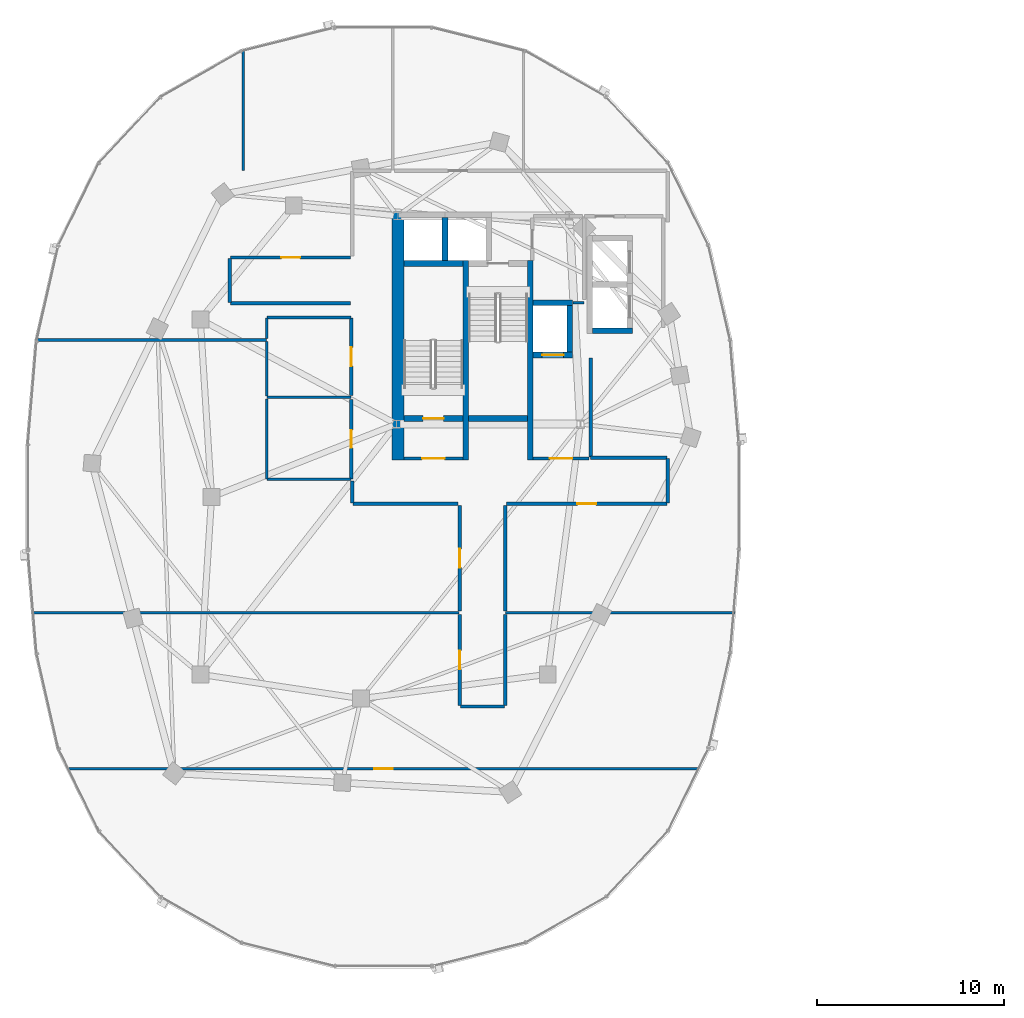
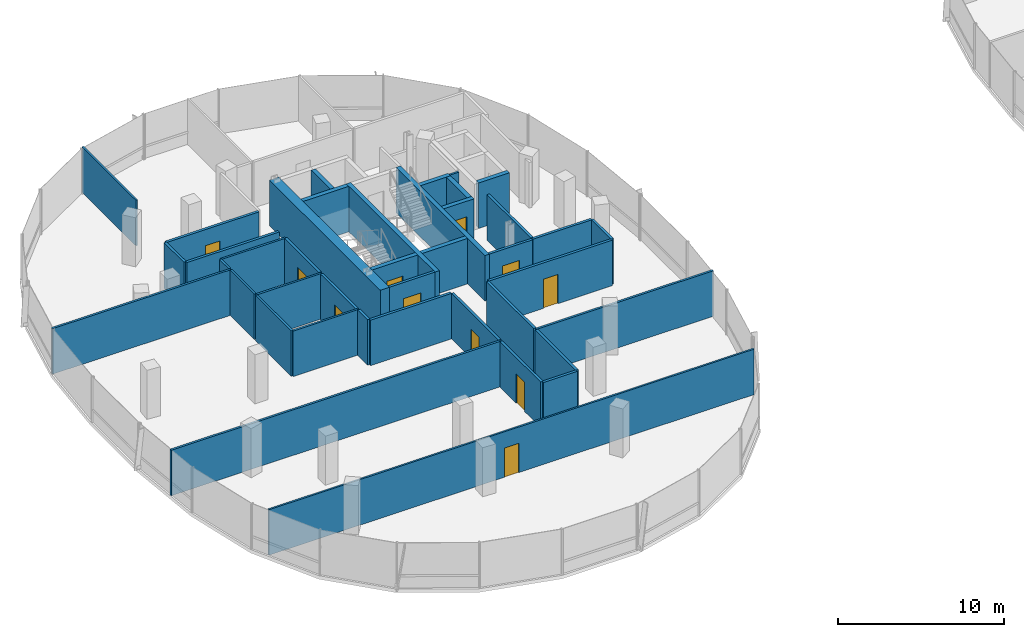
# One storey, part 15 of 25: 41 walls, 11 doors, 11 openings.
"""IFC4 building model written with IfcOpenShell, lengths in metres."""

from ifc_helpers import new_model, si_unit, direction, frame, frame_2d, origin, place, context, subcontext, project, spatial, rectangle, extrude, material, layer, layer_set, type_object, element, fill, save


model = new_model("IFC4")

# Units and contexts
model_context = context("Model", 3, precision=1e-05, world=origin(), true_north=direction((0.0, 1.0)))
body_context = subcontext(model_context, "Body", "Model", "MODEL_VIEW")
ifc_project = project(units=[si_unit("LENGTHUNIT", "METRE"), si_unit("AREAUNIT", "SQUARE_METRE"), si_unit("VOLUMEUNIT", "CUBIC_METRE"), si_unit("PLANEANGLEUNIT", "RADIAN"), si_unit("MASSUNIT", "GRAM", prefix="KILO"), si_unit("THERMODYNAMICTEMPERATUREUNIT", "KELVIN"), si_unit("POWERUNIT", "WATT")], contexts=[model_context])

# Site, building, storey
site_placement = place(None, origin())
site = spatial("IfcSite", under=ifc_project, at=site_placement, CompositionType="ELEMENT")
building_placement = place(site_placement, origin())
building = spatial("IfcBuilding", under=site, at=building_placement, Name="Cundina Bronze Exchange", CompositionType="ELEMENT")
storey_placement = place(building_placement, frame((0.0, 0.0, 224.199951171875)))
storey = spatial("IfcBuildingStorey", under=building, at=storey_placement, Name="L59", CompositionType="ELEMENT", Elevation=224.199951171875)

# Wall
ifc_material_1 = material(Name="Gypsum Fireboard Partition EI120")
ifc_layer_1 = layer(ifc_material_1, 0.179931640625, Name="Gypsum Fireboard Partition EI120")
ifc_layer_set_1 = layer_set([ifc_layer_1], Name="Gypsum Fireboard Partition EI120")
wall_type_1 = type_object("IfcWallType", Name="WL-COR-180", PredefinedType="PARTITIONING", material=ifc_layer_set_1)
wall_1_placement = place(storey_placement, frame((-20.889892578125, 2.14990234375, 0.0), z_axis=(0.0, 0.0, 1.0), x_axis=(0.0, 1.0, 0.0)))
element("IfcWall", 1, at=wall_1_placement, inside=storey, type_object=wall_type_1, Name="L59 W Firefighting Lobby Side Wall", PredefinedType="PARTITIONING", context=body_context, shape_type="SweptSolid", body=[
    extrude(rectangle(XDim=5.300048828125, YDim=0.179931640625, at=frame_2d((2.64990234375, 0.0))), origin(), (0.0, 0.0, 1.0), 3.340087890625),
])

# Wall, opening, door
wall_2_placement = place(storey_placement, frame((-23.97998046875, 2.06005859375, 0.0), z_axis=(0.0, 0.0, 1.0), x_axis=(1.0, 0.0, 0.0)))
wall_2 = element("IfcWall", 2, at=wall_2_placement, inside=storey, type_object=wall_type_1, Name="L59 W Firefighting Lobby Exit Wall", PredefinedType="PARTITIONING", context=body_context, shape_type="SweptSolid", body=[
    extrude(rectangle(XDim=3.0, YDim=0.179931640625, at=frame_2d((1.5, 0.0))), origin(), (0.0, 0.0, 1.0), 3.340087890625),
])
opening_1_placement = place(wall_2_placement, frame((0.89990234375, 0.0, 0.0)))
opening_1 = element("IfcOpeningElement", 3, at=opening_1_placement, cuts=wall_2, Name="Opening DF-01", PredefinedType="OPENING", context=body_context, shape_type="SweptSolid", body=[
    extrude(rectangle(XDim=1.199951171875, YDim=2.14990234375, at=frame_2d((0.60009765625, 1.074951171875))), frame((0.0, 0.099853515625, 0.0), z_axis=(0.0, -1.0, 0.0), x_axis=(1.0, 0.0, 0.0)), (0.0, 0.0, 1.0), 0.199951171875),
])
ifc_material_2 = material(Name="Steel ASTM A36 Painted", Category="steel")
door_type_1 = type_object("IfcDoorType", Name="DR-FFL-1200", OperationType="NOTDEFINED", PredefinedType="DOOR", material=ifc_material_2)
door_1_placement = place(opening_1_placement, origin())
door_1 = element("IfcDoor", 4, at=door_1_placement, inside=storey, type_object=door_type_1, Name="L59 W Firefighting Lobby Door", OperationType="SINGLE_SWING_RIGHT", OverallHeight=2.14990234375, OverallWidth=1.199951171875, PredefinedType="DOOR", context=body_context, shape_type="SweptSolid", body=[
    extrude(rectangle(XDim=1.199951171875, YDim=2.14990234375, at=frame_2d((0.60009765625, 1.074951171875))), frame((0.0, 0.02490234375, 0.0), z_axis=(0.0, -1.0, 0.0), x_axis=(1.0, 0.0, 0.0)), (0.0, 0.0, 1.0), 0.050048828125),
])
fill(opening_1, door_1)

wall_3_placement = place(storey_placement, frame((-30.89990234375, 2.06005859375, 0.0), z_axis=(0.0, 0.0, 1.0), x_axis=(1.0, 0.0, 0.0)))
wall_3 = element("IfcWall", 5, at=wall_3_placement, inside=storey, type_object=wall_type_1, Name="L59 W Stair Vestibule Exit Wall", PredefinedType="PARTITIONING", context=body_context, shape_type="SweptSolid", body=[
    extrude(rectangle(XDim=3.159912109375, YDim=0.179931640625, at=frame_2d((1.580078125, 0.0))), origin(), (0.0, 0.0, 1.0), 3.340087890625),
])
opening_2_placement = place(wall_3_placement, frame((0.97998046875, 0.0, 0.0)))
opening_2 = element("IfcOpeningElement", 6, at=opening_2_placement, cuts=wall_3, Name="Opening DF-01", PredefinedType="OPENING", context=body_context, shape_type="SweptSolid", body=[
    extrude(rectangle(XDim=1.199951171875, YDim=2.14990234375, at=frame_2d((0.60009765625, 1.074951171875))), frame((0.0, 0.099853515625, 0.0), z_axis=(0.0, -1.0, 0.0), x_axis=(1.0, 0.0, 0.0)), (0.0, 0.0, 1.0), 0.199951171875),
])
door_2_placement = place(opening_2_placement, origin())
door_2 = element("IfcDoor", 7, at=door_2_placement, inside=storey, type_object=door_type_1, Name="L59 W Stair Vestibule Door", OperationType="SINGLE_SWING_LEFT", OverallHeight=2.14990234375, OverallWidth=1.199951171875, PredefinedType="DOOR", context=body_context, shape_type="SweptSolid", body=[
    extrude(rectangle(XDim=1.199951171875, YDim=2.14990234375, at=frame_2d((0.60009765625, 1.074951171875))), frame((0.0, 0.02490234375, 0.0), z_axis=(0.0, -1.0, 0.0), x_axis=(1.0, 0.0, 0.0)), (0.0, 0.0, 1.0), 0.050048828125),
])
fill(opening_2, door_2)

wall_4_placement = place(storey_placement, frame((-33.719970703125, 0.969970703125, 0.0), z_axis=(0.0, 0.0, 1.0), x_axis=(0.0, 1.0, 0.0)))
wall_4 = element("IfcWall", 8, at=wall_4_placement, inside=storey, type_object=wall_type_1, Name="L59 Interior Partition 014", PredefinedType="PARTITIONING", context=body_context, shape_type="SweptSolid", body=[
    extrude(rectangle(XDim=4.260009765625, YDim=0.179931640625, at=frame_2d((2.1298828125, 0.0))), origin(), (0.0, 0.0, 1.0), 3.340087890625),
])
opening_3_placement = place(wall_4_placement, frame((1.655029296875, 0.0, 0.0)))
opening_3 = element("IfcOpeningElement", 9, at=opening_3_placement, cuts=wall_4, Name="Opening DW-01", PredefinedType="OPENING", context=body_context, shape_type="SweptSolid", body=[
    extrude(rectangle(XDim=0.949951171875, YDim=2.10009765625, at=frame_2d((0.47509765625, 1.050048828125))), frame((0.0, 0.099853515625, 0.0), z_axis=(0.0, -1.0, 0.0), x_axis=(1.0, 0.0, 0.0)), (0.0, 0.0, 1.0), 0.199951171875),
])
ifc_material_3 = material(Name="Solid Andean Oak Timber Grade A", Category="wood")
door_type_2 = type_object("IfcDoorType", Name="DR-WC-950", OperationType="NOTDEFINED", PredefinedType="DOOR", material=ifc_material_3)
door_3_placement = place(opening_3_placement, origin())
door_3 = element("IfcDoor", 10, at=door_3_placement, inside=storey, type_object=door_type_2, Name="L59 Interior Door 014", OperationType="SINGLE_SWING_LEFT", OverallHeight=2.10009765625, OverallWidth=0.949951171875, PredefinedType="DOOR", context=body_context, shape_type="SweptSolid", body=[
    extrude(rectangle(XDim=0.949951171875, YDim=2.10009765625, at=frame_2d((0.47509765625, 1.050048828125))), frame((0.0, 0.02490234375, 0.0), z_axis=(0.0, -1.0, 0.0), x_axis=(1.0, 0.0, 0.0)), (0.0, 0.0, 1.0), 0.050048828125),
])
fill(opening_3, door_3)

wall_5_placement = place(storey_placement, frame((-33.719970703125, 5.429931640625, 0.0), z_axis=(0.0, 0.0, 1.0), x_axis=(0.0, 1.0, 0.0)))
wall_5 = element("IfcWall", 11, at=wall_5_placement, inside=storey, type_object=wall_type_1, Name="L59 Interior Partition 015", PredefinedType="PARTITIONING", context=body_context, shape_type="SweptSolid", body=[
    extrude(rectangle(XDim=4.16015625, YDim=0.179931640625, at=frame_2d((2.080078125, 0.0))), origin(), (0.0, 0.0, 1.0), 3.340087890625),
])
opening_4_placement = place(wall_5_placement, frame((1.580078125, 0.0, 0.0)))
opening_4 = element("IfcOpeningElement", 12, at=opening_4_placement, cuts=wall_5, Name="Opening DO-01", PredefinedType="OPENING", context=body_context, shape_type="SweptSolid", body=[
    extrude(rectangle(XDim=1.0, YDim=2.14990234375, at=frame_2d((0.5, 1.074951171875))), frame((0.0, 0.099853515625, 0.0), z_axis=(0.0, -1.0, 0.0), x_axis=(1.0, 0.0, 0.0)), (0.0, 0.0, 1.0), 0.199951171875),
])
door_type_3 = type_object("IfcDoorType", Name="DR-OFF-1000", OperationType="NOTDEFINED", PredefinedType="DOOR", material=ifc_material_3)
door_4_placement = place(opening_4_placement, origin())
door_4 = element("IfcDoor", 13, at=door_4_placement, inside=storey, type_object=door_type_3, Name="L59 Interior Door 015", OperationType="SINGLE_SWING_LEFT", OverallHeight=2.14990234375, OverallWidth=1.0, PredefinedType="DOOR", context=body_context, shape_type="SweptSolid", body=[
    extrude(rectangle(XDim=1.0, YDim=2.14990234375, at=frame_2d((0.5, 1.074951171875))), frame((0.0, 0.02490234375, 0.0), z_axis=(0.0, -1.0, 0.0), x_axis=(1.0, 0.0, 0.0)), (0.0, 0.0, 1.0), 0.050048828125),
])
fill(opening_4, door_4)

wall_6_placement = place(storey_placement, frame((-27.919921875, -6.2900390625, 0.0), z_axis=(0.0, 0.0, 1.0), x_axis=(0.0, -1.0, 0.0)))
wall_6 = element("IfcWall", 14, at=wall_6_placement, inside=storey, type_object=wall_type_1, Name="L59 Interior Partition 022", PredefinedType="PARTITIONING", context=body_context, shape_type="SweptSolid", body=[
    extrude(rectangle(XDim=4.888427734375, YDim=0.179931640625, at=frame_2d((2.4443359375, 0.0))), origin(), (0.0, 0.0, 1.0), 3.340087890625),
])
opening_5_placement = place(wall_6_placement, frame((1.944091796875, 0.0, 0.0)))
opening_5 = element("IfcOpeningElement", 15, at=opening_5_placement, cuts=wall_6, Name="Opening DO-01", PredefinedType="OPENING", context=body_context, shape_type="SweptSolid", body=[
    extrude(rectangle(XDim=1.0, YDim=2.14990234375, at=frame_2d((0.5, 1.074951171875))), frame((0.0, 0.099853515625, 0.0), z_axis=(0.0, -1.0, 0.0), x_axis=(1.0, 0.0, 0.0)), (0.0, 0.0, 1.0), 0.199951171875),
])
door_5_placement = place(opening_5_placement, origin())
door_5 = element("IfcDoor", 16, at=door_5_placement, inside=storey, type_object=door_type_3, Name="L59 Interior Door 022", OperationType="SINGLE_SWING_LEFT", OverallHeight=2.14990234375, OverallWidth=1.0, PredefinedType="DOOR", context=body_context, shape_type="SweptSolid", body=[
    extrude(rectangle(XDim=1.0, YDim=2.14990234375, at=frame_2d((0.5, 1.074951171875))), frame((0.0, 0.02490234375, 0.0), z_axis=(0.0, -1.0, 0.0), x_axis=(1.0, 0.0, 0.0)), (0.0, 0.0, 1.0), 0.050048828125),
])
fill(opening_5, door_5)

# Walls
wall_7_placement = place(storey_placement, frame((-25.47998046875, -11.178466796875, 0.0), z_axis=(0.0, 0.0, 1.0), x_axis=(0.0, 1.0, 0.0)))
element("IfcWall", 17, at=wall_7_placement, inside=storey, type_object=wall_type_1, Name="L59 Interior Partition 023", PredefinedType="PARTITIONING", context=body_context, shape_type="SweptSolid", body=[
    extrude(rectangle(XDim=4.888427734375, YDim=0.179931640625, at=frame_2d((2.4443359375, 0.0))), origin(), (0.0, 0.0, 1.0), 3.340087890625),
])
wall_8_placement = place(storey_placement, frame((-27.87841796875, -11.219970703125, 0.0), z_axis=(0.0, 0.0, 1.0), x_axis=(1.0, 0.0, 0.0)))
element("IfcWall", 18, at=wall_8_placement, inside=storey, type_object=wall_type_1, Name="L59 Interior Partition 024", PredefinedType="PARTITIONING", context=body_context, shape_type="SweptSolid", body=[
    extrude(rectangle(XDim=2.35693359375, YDim=0.179931640625, at=frame_2d((1.178466796875, 0.0))), origin(), (0.0, 0.0, 1.0), 3.340087890625),
])

# Wall, opening, door
wall_9_placement = place(storey_placement, frame((-27.919921875, -0.449951171875, 0.0), z_axis=(0.0, 0.0, 1.0), x_axis=(0.0, -1.0, 0.0)))
wall_9 = element("IfcWall", 19, at=wall_9_placement, inside=storey, type_object=wall_type_1, Name="L59 Interior Partition 025", PredefinedType="PARTITIONING", context=body_context, shape_type="SweptSolid", body=[
    extrude(rectangle(XDim=5.66015625, YDim=0.179931640625, at=frame_2d((2.830078125, 0.0))), origin(), (0.0, 0.0, 1.0), 3.340087890625),
])
opening_6_placement = place(wall_9_placement, frame((2.330078125, 0.0, 0.0)))
opening_6 = element("IfcOpeningElement", 20, at=opening_6_placement, cuts=wall_9, Name="Opening DO-01", PredefinedType="OPENING", context=body_context, shape_type="SweptSolid", body=[
    extrude(rectangle(XDim=1.0, YDim=2.14990234375, at=frame_2d((0.5, 1.074951171875))), frame((0.0, 0.099853515625, 0.0), z_axis=(0.0, -1.0, 0.0), x_axis=(1.0, 0.0, 0.0)), (0.0, 0.0, 1.0), 0.199951171875),
])
door_6_placement = place(opening_6_placement, origin())
door_6 = element("IfcDoor", 21, at=door_6_placement, inside=storey, type_object=door_type_3, Name="L59 Interior Door 025", OperationType="SINGLE_SWING_LEFT", OverallHeight=2.14990234375, OverallWidth=1.0, PredefinedType="DOOR", context=body_context, shape_type="SweptSolid", body=[
    extrude(rectangle(XDim=1.0, YDim=2.14990234375, at=frame_2d((0.5, 1.074951171875))), frame((0.0, 0.02490234375, 0.0), z_axis=(0.0, -1.0, 0.0), x_axis=(1.0, 0.0, 0.0)), (0.0, 0.0, 1.0), 0.050048828125),
])
fill(opening_6, door_6)

# Walls
wall_10_placement = place(storey_placement, frame((-33.62841796875, -0.3701171875, 0.0), z_axis=(0.0, 0.0, 1.0), x_axis=(1.0, 0.0, 0.0)))
element("IfcWall", 22, at=wall_10_placement, inside=storey, type_object=wall_type_1, Name="L59 Interior Partition 026", PredefinedType="PARTITIONING", context=body_context, shape_type="SweptSolid", body=[
    extrude(rectangle(XDim=5.62841796875, YDim=0.179931640625, at=frame_2d((2.814208984375, 0.0))), origin(), (0.0, 0.0, 1.0), 3.340087890625),
])
wall_11_placement = place(storey_placement, frame((-33.669921875, 0.858642578125, 0.0), z_axis=(0.0, 0.0, 1.0), x_axis=(0.0, -1.0, 0.0)))
element("IfcWall", 23, at=wall_11_placement, inside=storey, type_object=wall_type_1, Name="L59 Interior Partition 027", PredefinedType="PARTITIONING", context=body_context, shape_type="SweptSolid", body=[
    extrude(rectangle(XDim=1.187255859375, YDim=0.179931640625, at=frame_2d((0.59375, 0.0))), origin(), (0.0, 0.0, 1.0), 3.340087890625),
])

# Wall, opening, door
wall_12_placement = place(storey_placement, frame((-25.39990234375, -0.3701171875, 0.0), z_axis=(0.0, 0.0, 1.0), x_axis=(1.0, 0.0, 0.0)))
wall_12 = element("IfcWall", 24, at=wall_12_placement, inside=storey, type_object=wall_type_1, Name="L59 Interior Partition 028", PredefinedType="PARTITIONING", context=body_context, shape_type="SweptSolid", body=[
    extrude(rectangle(XDim=8.578369140625, YDim=0.179931640625, at=frame_2d((4.2890625, 0.0))), origin(), (0.0, 0.0, 1.0), 3.340087890625),
])
opening_7_placement = place(wall_12_placement, frame((3.789306640625, 0.0, 0.0)))
opening_7 = element("IfcOpeningElement", 25, at=opening_7_placement, cuts=wall_12, Name="Opening DO-01", PredefinedType="OPENING", context=body_context, shape_type="SweptSolid", body=[
    extrude(rectangle(XDim=1.0, YDim=2.14990234375, at=frame_2d((0.5, 1.074951171875))), frame((0.0, 0.099853515625, 0.0), z_axis=(0.0, -1.0, 0.0), x_axis=(1.0, 0.0, 0.0)), (0.0, 0.0, 1.0), 0.199951171875),
])
door_7_placement = place(opening_7_placement, origin())
door_7 = element("IfcDoor", 26, at=door_7_placement, inside=storey, type_object=door_type_3, Name="L59 Interior Door 028", OperationType="SINGLE_SWING_LEFT", OverallHeight=2.14990234375, OverallWidth=1.0, PredefinedType="DOOR", context=body_context, shape_type="SweptSolid", body=[
    extrude(rectangle(XDim=1.0, YDim=2.14990234375, at=frame_2d((0.5, 1.074951171875))), frame((0.0, 0.02490234375, 0.0), z_axis=(0.0, -1.0, 0.0), x_axis=(1.0, 0.0, 0.0)), (0.0, 0.0, 1.0), 0.050048828125),
])
fill(opening_7, door_7)

# Walls
wall_13_placement = place(storey_placement, frame((-25.47998046875, -6.110107421875, 0.0), z_axis=(0.0, 0.0, 1.0), x_axis=(0.0, 1.0, 0.0)))
element("IfcWall", 27, at=wall_13_placement, inside=storey, type_object=wall_type_1, Name="L59 Interior Partition 030", PredefinedType="PARTITIONING", context=body_context, shape_type="SweptSolid", body=[
    extrude(rectangle(XDim=5.66015625, YDim=0.179931640625, at=frame_2d((2.830078125, 0.0))), origin(), (0.0, 0.0, 1.0), 3.340087890625),
])
wall_14_placement = place(storey_placement, frame((-16.821533203125, 2.10009765625, 0.0), z_axis=(0.0, 0.0, 1.0), x_axis=(-1.0, 0.0, 0.0)))
element("IfcWall", 28, at=wall_14_placement, inside=storey, type_object=wall_type_1, Name="L59 Interior Partition 031", PredefinedType="PARTITIONING", context=body_context, shape_type="SweptSolid", body=[
    extrude(rectangle(XDim=4.098388671875, YDim=0.179931640625, at=frame_2d((2.04931640625, 0.0))), origin(), (0.0, 0.0, 1.0), 3.340087890625),
])
wall_15_placement = place(storey_placement, frame((-16.780029296875, -0.32861328125, 0.0), z_axis=(0.0, 0.0, 1.0), x_axis=(0.0, 1.0, 0.0)))
element("IfcWall", 29, at=wall_15_placement, inside=storey, type_object=wall_type_1, Name="L59 Interior Partition 033", PredefinedType="PARTITIONING", context=body_context, shape_type="SweptSolid", body=[
    extrude(rectangle(XDim=2.38720703125, YDim=0.179931640625, at=frame_2d((1.193603515625, 0.0))), origin(), (0.0, 0.0, 1.0), 3.340087890625),
])

# Wall, opening, door
wall_16_placement = place(storey_placement, frame((-33.75, 12.820068359375, 0.0), z_axis=(0.0, 0.0, 1.0), x_axis=(-1.0, 0.0, 0.0)))
wall_16 = element("IfcWall", 30, at=wall_16_placement, inside=storey, type_object=wall_type_1, Name="L59 Interior Partition 034", PredefinedType="PARTITIONING", context=body_context, shape_type="SweptSolid", body=[
    extrude(rectangle(XDim=6.428466796875, YDim=0.179931640625, at=frame_2d((3.21435546875, 0.0))), origin(), (0.0, 0.0, 1.0), 3.340087890625),
])
opening_8_placement = place(wall_16_placement, frame((2.714111328125, 0.0, 0.0)))
opening_8 = element("IfcOpeningElement", 31, at=opening_8_placement, cuts=wall_16, Name="Opening DO-01", PredefinedType="OPENING", context=body_context, shape_type="SweptSolid", body=[
    extrude(rectangle(XDim=1.0, YDim=2.14990234375, at=frame_2d((0.5, 1.074951171875))), frame((0.0, 0.099853515625, 0.0), z_axis=(0.0, -1.0, 0.0), x_axis=(1.0, 0.0, 0.0)), (0.0, 0.0, 1.0), 0.199951171875),
])
door_8_placement = place(opening_8_placement, origin())
door_8 = element("IfcDoor", 32, at=door_8_placement, inside=storey, type_object=door_type_3, Name="L59 Interior Door 034", OperationType="SINGLE_SWING_LEFT", OverallHeight=2.14990234375, OverallWidth=1.0, PredefinedType="DOOR", context=body_context, shape_type="SweptSolid", body=[
    extrude(rectangle(XDim=1.0, YDim=2.14990234375, at=frame_2d((0.5, 1.074951171875))), frame((0.0, 0.02490234375, 0.0), z_axis=(0.0, -1.0, 0.0), x_axis=(1.0, 0.0, 0.0)), (0.0, 0.0, 1.0), 0.050048828125),
])
fill(opening_8, door_8)

# Walls
wall_17_placement = place(storey_placement, frame((-40.178466796875, 10.3798828125, 0.0), z_axis=(0.0, 0.0, 1.0), x_axis=(1.0, 0.0, 0.0)))
element("IfcWall", 33, at=wall_17_placement, inside=storey, type_object=wall_type_1, Name="L59 Interior Partition 035", PredefinedType="PARTITIONING", context=body_context, shape_type="SweptSolid", body=[
    extrude(rectangle(XDim=6.428466796875, YDim=0.179931640625, at=frame_2d((3.21435546875, 0.0))), origin(), (0.0, 0.0, 1.0), 3.340087890625),
])
wall_18_placement = place(storey_placement, frame((-40.219970703125, 12.778564453125, 0.0), z_axis=(0.0, 0.0, 1.0), x_axis=(0.0, -1.0, 0.0)))
element("IfcWall", 34, at=wall_18_placement, inside=storey, type_object=wall_type_1, Name="L59 Interior Partition 037", PredefinedType="PARTITIONING", context=body_context, shape_type="SweptSolid", body=[
    extrude(rectangle(XDim=2.357177734375, YDim=0.179931640625, at=frame_2d((1.1787109375, 0.0))), origin(), (0.0, 0.0, 1.0), 3.340087890625),
])
ifc_material_4 = material(Name="Concrete C50/60", Category="concrete")
ifc_layer_2 = layer(ifc_material_4, 0.64990234375, Name="Concrete C50/60", Category="concrete")
ifc_layer_set_2 = layer_set([ifc_layer_2], Name="Concrete C50/60")
wall_type_2 = type_object("IfcWallType", Name="WL-CORE-650", PredefinedType="SHEAR", material=ifc_layer_set_2)
wall_19_placement = place(storey_placement, frame((-31.22509765625, 1.969970703125, 0.0), z_axis=(0.0, 0.0, 1.0), x_axis=(0.0, 1.0, 0.0)))
element("IfcWall", 35, at=wall_19_placement, inside=storey, type_object=wall_type_2, Name="L59 W Primary Core Shear Spine Wall", PredefinedType="SHEAR", context=body_context, shape_type="SweptSolid", body=[
    extrude(rectangle(XDim=13.330078125, YDim=0.64990234375, at=frame_2d((6.6650390625, 0.0))), origin(), (0.0, 0.0, 1.0), 3.340087890625),
])
ifc_material_5 = material(Name="Gypsum Acoustic Partition EI60")
ifc_layer_3 = layer(ifc_material_5, 0.125, Name="Gypsum Acoustic Partition EI60")
ifc_layer_set_3 = layer_set([ifc_layer_3], Name="Gypsum Acoustic Partition EI60")
wall_type_3 = type_object("IfcWallType", Name="WL-OFF-125", PredefinedType="PARTITIONING", material=ifc_layer_set_3)
wall_20_placement = place(storey_placement, frame((-39.5, 17.469970703125, 0.0), z_axis=(0.0, 0.0, 1.0), x_axis=(0.0, 1.0, 0.0)))
element("IfcWall", 36, at=wall_20_placement, inside=storey, type_object=wall_type_3, Name="L59 Interior Partition 019", PredefinedType="PARTITIONING", context=body_context, shape_type="SweptSolid", body=[
    extrude(rectangle(XDim=6.49267578125, YDim=0.125, at=frame_2d((3.246337890625, 0.0))), origin(), (0.0, 0.0, 1.0), 3.340087890625),
])

# Wall, opening, door
wall_21_placement = place(storey_placement, frame((-48.832763671875, -14.550048828125, 0.0), z_axis=(0.0, 0.0, 1.0), x_axis=(1.0, 0.0, 0.0)))
wall_21 = element("IfcWall", 37, at=wall_21_placement, inside=storey, type_object=wall_type_3, Name="L59 Interior Partition 040", PredefinedType="PARTITIONING", context=body_context, shape_type="SweptSolid", body=[
    extrude(rectangle(XDim=33.66552734375, YDim=0.125, at=frame_2d((16.832763671875, 0.0))), origin(), (0.0, 0.0, 1.0), 3.340087890625),
])
opening_9_placement = place(wall_21_placement, frame((16.332763671875, 0.0, 0.0)))
opening_9 = element("IfcOpeningElement", 38, at=opening_9_placement, cuts=wall_21, Name="Opening DO-01", PredefinedType="OPENING", context=body_context, shape_type="SweptSolid", body=[
    extrude(rectangle(XDim=1.0, YDim=2.14990234375, at=frame_2d((0.5, 1.074951171875))), frame((0.0, 0.072509765625, 0.0), z_axis=(0.0, -1.0, 0.0), x_axis=(1.0, 0.0, 0.0)), (0.0, 0.0, 1.0), 0.14501953125),
])
door_9_placement = place(opening_9_placement, origin())
door_9 = element("IfcDoor", 39, at=door_9_placement, inside=storey, type_object=door_type_3, Name="L59 Interior Door 040", OperationType="SINGLE_SWING_LEFT", OverallHeight=2.14990234375, OverallWidth=1.0, PredefinedType="DOOR", context=body_context, shape_type="SweptSolid", body=[
    extrude(rectangle(XDim=1.0, YDim=2.14990234375, at=frame_2d((0.5, 1.074951171875))), frame((0.0, 0.02490234375, 0.0), z_axis=(0.0, -1.0, 0.0), x_axis=(1.0, 0.0, 0.0)), (0.0, 0.0, 1.0), 0.050048828125),
])
fill(opening_9, door_9)

# Walls
ifc_layer_4 = layer(ifc_material_4, 0.300048828125, Name="Concrete C50/60", Category="concrete")
ifc_layer_set_4 = layer_set([ifc_layer_4], Name="Concrete C50/60")
wall_type_4 = type_object("IfcWallType", Name="WL-SHFT-300", PredefinedType="SHEAR", material=ifc_layer_set_4)
for number, where, z_axis, x_axis, name in (
    (40, (-27.590087890625, 1.969970703125, 0.0), (0.0, 0.0, 1.0), (0.0, 1.0, 0.0), "L59 W Stair Shaft Dividing Shear Wall"),
    (41, (-24.1298828125, 1.969970703125, 0.0), (0.0, 0.0, 1.0), (0.0, 1.0, 0.0), "L59 W Stair 2 East Shear Wall"),
):
    element("IfcWall", number, at=place(storey_placement, frame(where, z_axis=z_axis, x_axis=x_axis)), inside=storey, type_object=wall_type_4, Name=name, PredefinedType="SHEAR", context=body_context, shape_type="SweptSolid", body=[
        extrude(rectangle(XDim=10.679931640625, YDim=0.300048828125, at=frame_2d((5.33984375, 0.0))), origin(), (0.0, 0.0, 1.0), 3.340087890625),
    ])

# Wall, opening, door
wall_22_placement = place(storey_placement, frame((-30.89990234375, 4.199951171875, 0.0), z_axis=(0.0, 0.0, 1.0), x_axis=(1.0, 0.0, 0.0)))
wall_22 = element("IfcWall", 42, at=wall_22_placement, inside=storey, type_object=wall_type_4, Name="L59 Stair W1 Landing Wall", PredefinedType="SHEAR", context=body_context, shape_type="SweptSolid", body=[
    extrude(rectangle(XDim=3.159912109375, YDim=0.300048828125, at=frame_2d((1.580078125, 0.0))), origin(), (0.0, 0.0, 1.0), 3.340087890625),
])
opening_10_placement = place(wall_22_placement, frame((1.030029296875, 0.0, 0.0)))
opening_10 = element("IfcOpeningElement", 43, at=opening_10_placement, cuts=wall_22, Name="Opening DS-01", PredefinedType="OPENING", context=body_context, shape_type="SweptSolid", body=[
    extrude(rectangle(XDim=1.10009765625, YDim=2.14990234375, at=frame_2d((0.550048828125, 1.074951171875))), frame((0.0, 0.159912109375, 0.0), z_axis=(0.0, -1.0, 0.0), x_axis=(1.0, 0.0, 0.0)), (0.0, 0.0, 1.0), 0.320068359375),
])
door_type_4 = type_object("IfcDoorType", Name="DR-STR-1100", OperationType="NOTDEFINED", PredefinedType="DOOR", material=ifc_material_2)
door_10_placement = place(opening_10_placement, origin())
door_10 = element("IfcDoor", 44, at=door_10_placement, inside=storey, type_object=door_type_4, Name="L59 Smokeproof Stair W1 Door", OperationType="SINGLE_SWING_RIGHT", OverallHeight=2.14990234375, OverallWidth=1.10009765625, PredefinedType="DOOR", context=body_context, shape_type="SweptSolid", body=[
    extrude(rectangle(XDim=1.10009765625, YDim=2.14990234375, at=frame_2d((0.550048828125, 1.074951171875))), frame((0.0, 0.02490234375, 0.0), z_axis=(0.0, -1.0, 0.0), x_axis=(1.0, 0.0, 0.0)), (0.0, 0.0, 1.0), 0.050048828125),
])
fill(opening_10, door_10)

# Walls
for number, where, z_axis, x_axis, name in (
    (45, (-30.89990234375, 12.5, 0.0), (0.0, 0.0, 1.0), (1.0, 0.0, 0.0), "L59 Stair W1 Far Shaft Wall"),
    (46, (-27.43994140625, 4.199951171875, 0.0), (0.0, 0.0, 1.0), (1.0, 0.0, 0.0), "L59 Stair W2 Far Shaft Wall"),
):
    element("IfcWall", number, at=place(storey_placement, frame(where, z_axis=z_axis, x_axis=x_axis)), inside=storey, type_object=wall_type_4, Name=name, PredefinedType="SHEAR", context=body_context, shape_type="SweptSolid", body=[
        extrude(rectangle(XDim=3.159912109375, YDim=0.300048828125, at=frame_2d((1.580078125, 0.0))), origin(), (0.0, 0.0, 1.0), 3.340087890625),
    ])

# Wall, opening, door
wall_23_placement = place(storey_placement, frame((-23.97998046875, 7.60009765625, 0.0), z_axis=(0.0, 0.0, 1.0), x_axis=(1.0, 0.0, 0.0)))
wall_23 = element("IfcWall", 47, at=wall_23_placement, inside=storey, type_object=wall_type_4, Name="L59 FFL-W Hoistway Front Wall", PredefinedType="SHEAR", context=body_context, shape_type="SweptSolid", body=[
    extrude(rectangle(XDim=2.10009765625, YDim=0.300048828125, at=frame_2d((1.050048828125, 0.0))), origin(), (0.0, 0.0, 1.0), 3.340087890625),
])
opening_11_placement = place(wall_23_placement, frame((0.47509765625, 0.0, 0.0)))
opening_11 = element("IfcOpeningElement", 48, at=opening_11_placement, cuts=wall_23, Name="Opening LD-01", PredefinedType="OPENING", context=body_context, shape_type="SweptSolid", body=[
    extrude(rectangle(XDim=1.14990234375, YDim=2.199951171875, at=frame_2d((0.574951171875, 1.10009765625))), frame((0.0, 0.159912109375, 0.0), z_axis=(0.0, -1.0, 0.0), x_axis=(1.0, 0.0, 0.0)), (0.0, 0.0, 1.0), 0.320068359375),
])
door_type_5 = type_object("IfcDoorType", Name="DR-LND-1150", OperationType="NOTDEFINED", PredefinedType="TRAPDOOR", material=ifc_material_2)
door_11_placement = place(opening_11_placement, origin())
door_11 = element("IfcDoor", 49, at=door_11_placement, inside=storey, type_object=door_type_5, Name="L59 FFL-W Sliding Landing Door", OperationType="SLIDING_TO_LEFT", OverallHeight=2.199951171875, OverallWidth=1.14990234375, PredefinedType="TRAPDOOR", context=body_context, shape_type="SweptSolid", body=[
    extrude(rectangle(XDim=1.14990234375, YDim=2.199951171875, at=frame_2d((0.574951171875, 1.10009765625))), frame((0.0, 0.02490234375, 0.0), z_axis=(0.0, -1.0, 0.0), x_axis=(1.0, 0.0, 0.0)), (0.0, 0.0, 1.0), 0.050048828125),
])
fill(opening_11, door_11)

# Walls
wall_24_placement = place(storey_placement, frame((-23.97998046875, 10.39990234375, 0.0), z_axis=(0.0, 0.0, 1.0), x_axis=(1.0, 0.0, 0.0)))
element("IfcWall", 50, at=wall_24_placement, inside=storey, type_object=wall_type_4, Name="L59 FFL-W Hoistway Back Wall", PredefinedType="SHEAR", context=body_context, shape_type="SweptSolid", body=[
    extrude(rectangle(XDim=2.10009765625, YDim=0.300048828125, at=frame_2d((1.050048828125, 0.0))), origin(), (0.0, 0.0, 1.0), 3.340087890625),
])
wall_25_placement = place(storey_placement, frame((-22.030029296875, 7.75, 0.0), z_axis=(0.0, 0.0, 1.0), x_axis=(0.0, 1.0, 0.0)))
element("IfcWall", 51, at=wall_25_placement, inside=storey, type_object=wall_type_4, Name="L59 FFL-W Hoistway Side Wall", PredefinedType="SHEAR", context=body_context, shape_type="SweptSolid", body=[
    extrude(rectangle(XDim=2.5, YDim=0.300048828125, at=frame_2d((1.25, 0.0))), origin(), (0.0, 0.0, 1.0), 3.340087890625),
])
wall_26_placement = place(storey_placement, frame((-28.699951171875, 12.64990234375, 0.0), z_axis=(0.0, 0.0, 1.0), x_axis=(0.0, 1.0, 0.0)))
element("IfcWall", 52, at=wall_26_placement, inside=storey, type_object=wall_type_4, Name="L59 PH-W1 Hoistway Divider Wall", PredefinedType="SHEAR", context=body_context, shape_type="SweptSolid", body=[
    extrude(rectangle(XDim=2.300048828125, YDim=0.300048828125, at=frame_2d((1.14990234375, 0.0))), origin(), (0.0, 0.0, 1.0), 3.340087890625),
])
wall_27_placement = place(storey_placement, frame((-20.800048828125, 8.89990234375, 0.0), z_axis=(0.0, 0.0, 1.0), x_axis=(1.0, 0.0, 0.0)))
element("IfcWall", 53, at=wall_27_placement, inside=storey, type_object=wall_type_4, Name="L59 W Passenger Bank South Cap Wall", PredefinedType="SHEAR", context=body_context, shape_type="SweptSolid", body=[
    extrude(rectangle(XDim=2.150146484375, YDim=0.300048828125, at=frame_2d((1.0751953125, 0.0))), origin(), (0.0, 0.0, 1.0), 3.340087890625),
])
ifc_layer_5 = layer(ifc_material_5, 0.14990234375, Name="Gypsum Acoustic Partition EI60")
ifc_layer_set_5 = layer_set([ifc_layer_5], Name="Gypsum Acoustic Partition EI60")
wall_type_5 = type_object("IfcWallType", Name="WL-TEN-150", PredefinedType="PARTITIONING", material=ifc_layer_set_5)
wall_28_placement = place(storey_placement, frame((-50.81689453125, -6.199951171875, 0.0), z_axis=(0.0, 0.0, 1.0), x_axis=(1.0, 0.0, 0.0)))
element("IfcWall", 54, at=wall_28_placement, inside=storey, type_object=wall_type_5, Name="L59 Interior Partition 016", PredefinedType="PARTITIONING", context=body_context, shape_type="SweptSolid", body=[
    extrude(rectangle(XDim=22.866943359375, YDim=0.14990234375, at=frame_2d((11.43359375, 0.0))), origin(), (0.0, 0.0, 1.0), 3.340087890625),
])
wall_29_placement = place(storey_placement, frame((-25.449951171875, -6.199951171875, 0.0), z_axis=(0.0, 0.0, 1.0), x_axis=(1.0, 0.0, 0.0)))
element("IfcWall", 55, at=wall_29_placement, inside=storey, type_object=wall_type_5, Name="L59 Interior Partition 017", PredefinedType="PARTITIONING", context=body_context, shape_type="SweptSolid", body=[
    extrude(rectangle(XDim=12.266845703125, YDim=0.14990234375, at=frame_2d((6.13330078125, 0.0))), origin(), (0.0, 0.0, 1.0), 3.340087890625),
])
wall_30_placement = place(storey_placement, frame((-50.629638671875, 8.39990234375, 0.0), z_axis=(0.0, 0.0, 1.0), x_axis=(1.0, 0.0, 0.0)))
element("IfcWall", 56, at=wall_30_placement, inside=storey, type_object=wall_type_5, Name="L59 Interior Partition 018", PredefinedType="PARTITIONING", context=body_context, shape_type="SweptSolid", body=[
    extrude(rectangle(XDim=12.359619140625, YDim=0.14990234375, at=frame_2d((6.1796875, 0.0))), origin(), (0.0, 0.0, 1.0), 3.340087890625),
])
ifc_material_6 = material(Name="Moisture-Resistant Masonry Block Grade M15", Category="masonry")
ifc_layer_6 = layer(ifc_material_6, 0.139892578125, Name="Moisture-Resistant Masonry Block Grade M15", Category="masonry")
ifc_layer_set_6 = layer_set([ifc_layer_6], Name="Moisture-Resistant Masonry Block Grade M15")
wall_type_6 = type_object("IfcWallType", Name="WL-WET-140", PredefinedType="PARTITIONING", material=ifc_layer_set_6)
wall_31_placement = place(storey_placement, frame((-21.860107421875, 10.39990234375, 0.0), z_axis=(0.0, 0.0, 1.0), x_axis=(1.0, 0.0, 0.0)))
element("IfcWall", 57, at=wall_31_placement, inside=storey, type_object=wall_type_6, Name="L59 Interior Partition 004", PredefinedType="PARTITIONING", context=body_context, shape_type="SweptSolid", body=[
    extrude(rectangle(XDim=0.590087890625, YDim=0.139892578125, at=frame_2d((0.294921875, 0.0))), origin(), (0.0, 0.0, 1.0), 3.340087890625),
])
wall_32_placement = place(storey_placement, frame((-38.239990234375, 0.969970703125, 0.0), z_axis=(0.0, 0.0, 1.0), x_axis=(0.0, 1.0, 0.0)))
element("IfcWall", 58, at=wall_32_placement, inside=storey, type_object=wall_type_6, Name="L59 Interior Partition 008", PredefinedType="PARTITIONING", context=body_context, shape_type="SweptSolid", body=[
    extrude(rectangle(XDim=4.275146484375, YDim=0.139892578125, at=frame_2d((2.1376953125, 0.0))), origin(), (0.0, 0.0, 1.0), 3.340087890625),
])
wall_33_placement = place(storey_placement, frame((-38.239990234375, 5.4150390625, 0.0), z_axis=(0.0, 0.0, 1.0), x_axis=(0.0, 1.0, 0.0)))
element("IfcWall", 59, at=wall_33_placement, inside=storey, type_object=wall_type_6, Name="L59 Interior Partition 009", PredefinedType="PARTITIONING", context=body_context, shape_type="SweptSolid", body=[
    extrude(rectangle(XDim=2.89990234375, YDim=0.139892578125, at=frame_2d((1.449951171875, 0.0))), origin(), (0.0, 0.0, 1.0), 3.340087890625),
])
wall_34_placement = place(storey_placement, frame((-38.239990234375, 8.485107421875, 0.0), z_axis=(0.0, 0.0, 1.0), x_axis=(0.0, 1.0, 0.0)))
element("IfcWall", 60, at=wall_34_placement, inside=storey, type_object=wall_type_6, Name="L59 Interior Partition 010", PredefinedType="PARTITIONING", context=body_context, shape_type="SweptSolid", body=[
    extrude(rectangle(XDim=1.10498046875, YDim=0.139892578125, at=frame_2d((0.552490234375, 0.0))), origin(), (0.0, 0.0, 1.0), 3.340087890625),
])
for number, where, z_axis, x_axis, name in (
    (61, (-38.219970703125, 0.949951171875, 0.0), (0.0, 0.0, 1.0), (1.0, 0.0, 0.0), "L59 Interior Partition 011"),
    (62, (-38.219970703125, 5.330078125, 0.0), (0.0, 0.0, 1.0), (1.0, 0.0, 0.0), "L59 Interior Partition 012"),
    (63, (-38.219970703125, 9.610107421875, 0.0), (0.0, 0.0, 1.0), (1.0, 0.0, 0.0), "L59 Interior Partition 013"),
):
    element("IfcWall", number, at=place(storey_placement, frame(where, z_axis=z_axis, x_axis=x_axis)), inside=storey, type_object=wall_type_6, Name=name, PredefinedType="PARTITIONING", context=body_context, shape_type="SweptSolid", body=[
        extrude(rectangle(XDim=4.47998046875, YDim=0.139892578125, at=frame_2d((2.239990234375, 0.0))), origin(), (0.0, 0.0, 1.0), 3.340087890625),
    ])

save(model, "model.ifc")
